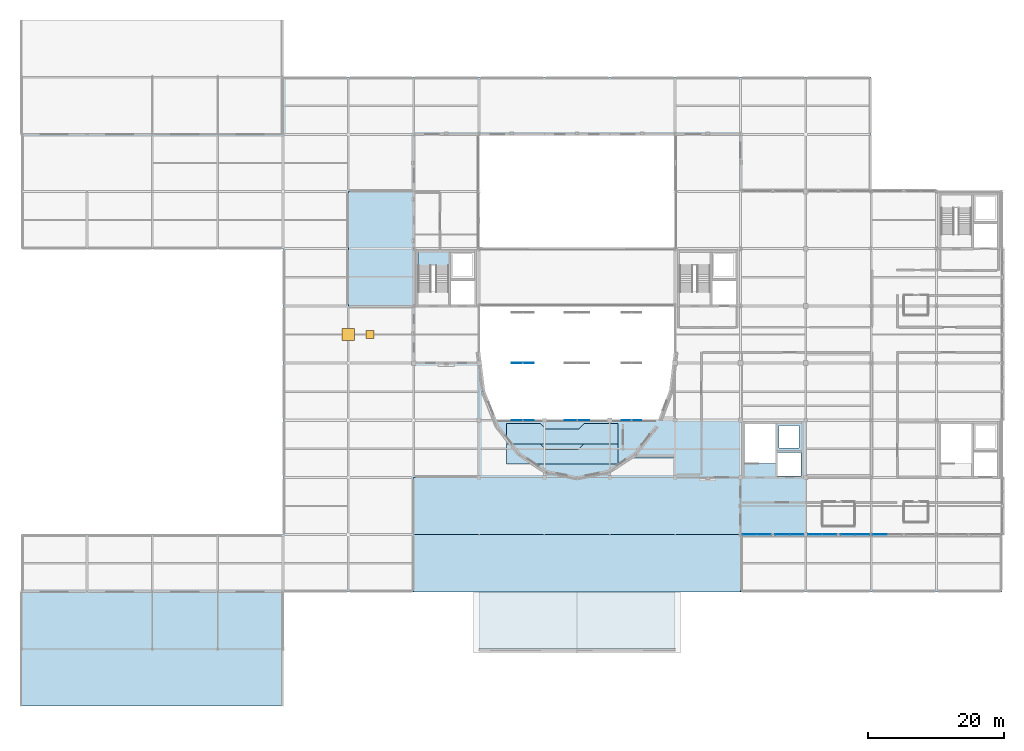
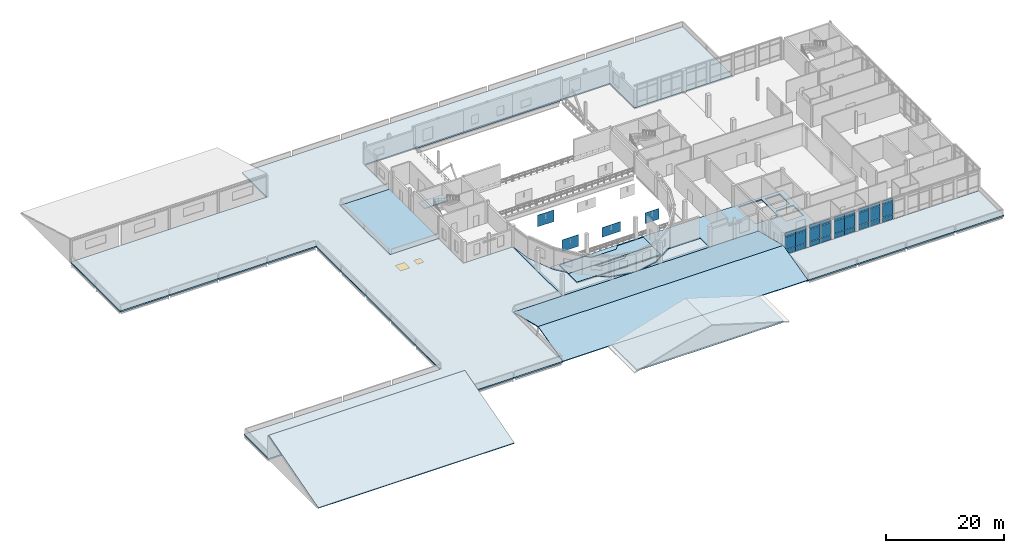
# One storey, part 31 of 52: 31 plates, 13 slabs, 1 door, 1 window, 2 openings, 6 elements without a shape of their own.
"""IFC4 building model written with IfcOpenShell, lengths in metres."""

import ifcopenshell
import ifcopenshell.guid

model = None  # the IFC model being written
_history = None  # IfcOwnerHistory: only IFC2X3 demands one
_inside = {}  # id of a spatial element -> (the spatial element, [elements in it])
_under = {}  # id of a project, library or spatial element -> (it, [spatial elements below it])
_declared = {}  # id of a project -> (the project, [libraries it declares])
_typed = {}  # id of a type object -> (the type object, [elements of that type])
_made_of = {}  # id of a material, layer set ... -> (it, [elements and type objects made of it])


def new_model(schema):
    """Start an empty IFC model of exactly this schema.

    Asked for "IFC4X3", IfcOpenShell would pick the latest addendum, in which some entities
    have other attributes; the version numbers below select the first issue.
    IFC2X3 requires an IfcOwnerHistory on every rooted entity: one is made here for all.
    """
    global model, _history
    if schema == "IFC4X3":
        model = ifcopenshell.file(schema_version=(4, 3, 0, 0))
    else:
        model = ifcopenshell.file(schema=schema)
    _inside.clear()
    _under.clear()
    _declared.clear()
    _typed.clear()
    _made_of.clear()
    _history = None
    if model.schema == "IFC2X3":
        org = make("IfcOrganization", Name="unknown")
        user = make(
            "IfcPersonAndOrganization",
            ThePerson=make("IfcPerson", FamilyName="unknown"),
            TheOrganization=org,
        )
        app = make(
            "IfcApplication",
            ApplicationDeveloper=org,
            Version="unknown",
            ApplicationFullName="unknown",
            ApplicationIdentifier="unknown",
        )
        _history = make(
            "IfcOwnerHistory",
            OwningUser=user,
            OwningApplication=app,
            ChangeAction="ADDED",
            CreationDate=0,
        )
    return model


def make(cls, **values):
    """One entity of the class cls with the attributes given. An attribute that is None is left unset."""
    return model.create_entity(
        cls, **{name: value for name, value in values.items() if value is not None}
    )


def rooted(cls, **values):
    """An entity with a GlobalId (a new one), such as an element, a storey or a relation."""
    return make(cls, GlobalId=ifcopenshell.guid.new(), OwnerHistory=_history, **values)


def si_unit(unit_type, name, prefix=None):
    """IfcSIUnit, for example si_unit("LENGTHUNIT", "METRE", prefix="MILLI")."""
    return make("IfcSIUnit", UnitType=unit_type, Prefix=prefix, Name=name)


def assignment(units):
    """IfcUnitAssignment: the units of a project."""
    return None if units is None else make("IfcUnitAssignment", Units=units)


def point(xyz):
    """IfcCartesianPoint."""
    return None if xyz is None else make("IfcCartesianPoint", Coordinates=xyz)


def direction(xyz):
    """IfcDirection."""
    return None if xyz is None else make("IfcDirection", DirectionRatios=xyz)


def frame(location, z_axis=None, x_axis=None):
    """IfcAxis2Placement3D, a coordinate frame: its origin and axes. An axis left out is left unset."""
    return make(
        "IfcAxis2Placement3D",
        Location=point(location),
        Axis=direction(z_axis),
        RefDirection=direction(x_axis),
    )


def frame_2d(location, x_axis=None):
    """IfcAxis2Placement2D, a coordinate frame in the plane: its origin and x axis."""
    return make(
        "IfcAxis2Placement2D", Location=point(location), RefDirection=direction(x_axis)
    )


def origin():
    """The frame at (0, 0, 0) with its axes left unset."""
    return frame((0.0, 0.0, 0.0))


def origin_2d():
    """The frame at (0, 0) in the plane with its x axis left unset."""
    return frame_2d((0.0, 0.0))


def place(relative_to, where):
    """IfcLocalPlacement: puts the frame where relative to a parent placement (None: the world)."""
    return make(
        "IfcLocalPlacement", PlacementRelTo=relative_to, RelativePlacement=where
    )


def context(
    kind, dimensions, precision=None, world=None, true_north=None, identifier=None
):
    """IfcGeometricRepresentationContext, for example the 3D "Model" context."""
    return make(
        "IfcGeometricRepresentationContext",
        ContextIdentifier=identifier,
        ContextType=kind,
        CoordinateSpaceDimension=dimensions,
        Precision=precision,
        WorldCoordinateSystem=world,
        TrueNorth=true_north,
    )


def subcontext(parent, identifier, kind, view, scale=None):
    """IfcGeometricRepresentationSubContext, for example "Body" below "Model"."""
    return make(
        "IfcGeometricRepresentationSubContext",
        ContextIdentifier=identifier,
        ContextType=kind,
        ParentContext=parent,
        TargetScale=scale,
        TargetView=view,
    )


def project(units=None, contexts=None):
    """IfcProject with its units and contexts."""
    return rooted(
        "IfcProject",
        Name="project",
        RepresentationContexts=contexts,
        UnitsInContext=assignment(units),
    )


def spatial(cls, under=None, at=None, **own):
    """A site, building, storey or space (cls), placed at a placement, below another one or the project."""
    s = rooted(cls, ObjectPlacement=at, **own)
    if under is not None:
        _under.setdefault(under.id(), (under, []))[1].append(s)
    return s


def polyline(points):
    """IfcPolyline through the points."""
    return make("IfcPolyline", Points=[point(p) for p in points])


def profile(cls, at=None, kind="AREA", **sizes):
    """A parametric profile (cls). Its sizes go by their IFC names, for example OverallWidth=200.0."""
    return make(cls, ProfileType=kind, Position=at, **sizes)


def rectangle(**sizes):
    """IfcRectangleProfileDef."""
    return profile("IfcRectangleProfileDef", **sizes)


def outline(outer, holes=None, kind="AREA"):
    """IfcArbitraryClosedProfileDef: a profile drawn as a closed curve; with holes, ...WithVoids."""
    if holes is None:
        return make("IfcArbitraryClosedProfileDef", ProfileType=kind, OuterCurve=outer)
    return make(
        "IfcArbitraryProfileDefWithVoids",
        ProfileType=kind,
        OuterCurve=outer,
        InnerCurves=holes,
    )


def extrude(swept, where, along, depth):
    """IfcExtrudedAreaSolid: the profile swept, set in the frame where, extruded along a direction by depth."""
    return make(
        "IfcExtrudedAreaSolid",
        SweptArea=swept,
        Position=where,
        ExtrudedDirection=direction(along),
        Depth=depth,
    )


def shape(context_of_items, identifier, shape_type, items):
    """IfcShapeRepresentation: the items that make up one representation, for example the "Body"."""
    return make(
        "IfcShapeRepresentation",
        ContextOfItems=context_of_items,
        RepresentationIdentifier=identifier,
        RepresentationType=shape_type,
        Items=items,
    )


def material(Name=None, Category=None):
    """IfcMaterial."""
    return make("IfcMaterial", Name=Name, Category=Category)


def layer(
    of_material, thickness, ventilated=None, Name=None, Category=None, Priority=None
):
    """IfcMaterialLayer: one layer of a wall or slab, of a material (None: an air gap)."""
    return make(
        "IfcMaterialLayer",
        Material=of_material,
        LayerThickness=thickness,
        IsVentilated=ventilated,
        Name=Name,
        Category=Category,
        Priority=Priority,
    )


def layer_set(layers, Name=None):
    """IfcMaterialLayerSet."""
    return make("IfcMaterialLayerSet", MaterialLayers=layers, LayerSetName=Name)


def made_of(thing, what):
    """Note that an element or type object is made of a material, layer set ...; save() writes the relation."""
    if what is not None:
        _made_of.setdefault(what.id(), (what, []))[1].append(thing)
    return thing


def type_object(cls, material=None, **own):
    """A type object (cls), such as IfcWallType, which elements share."""
    return made_of(rooted(cls, **own), material)


def element(
    cls,
    number,
    at=None,
    inside=None,
    cuts=None,
    type_object=None,
    material=None,
    context=None,
    identifier="Body",
    shape_type=None,
    held_by="IfcProductDefinitionShape",
    body=None,
    shapes=None,
    **own,
):
    """One element of the class cls, such as IfcWall. Its Tag is "e" and its number.

    at: its placement. inside: the storey or other place that contains it. cuts: it is an
    opening in that element (IfcRelVoidsElement). A single representation is given by context,
    identifier, shape_type and body (its items); several are given by shapes. held_by: the class
    of the entity that holds the representations. save() writes the other relations.
    """
    e = rooted(cls, Tag="e%d" % number, ObjectPlacement=at, **own)
    if body is not None:
        shapes = [shape(context, identifier, shape_type, body)]
    if shapes is not None:
        e.Representation = make(held_by, Representations=shapes)
    if inside is not None:
        _inside.setdefault(inside.id(), (inside, []))[1].append(e)
    if cuts is not None:
        rooted(
            "IfcRelVoidsElement", RelatingBuildingElement=cuts, RelatedOpeningElement=e
        )
    if type_object is not None:
        _typed.setdefault(type_object.id(), (type_object, []))[1].append(e)
    return made_of(e, material)


def fill(opening, filler):
    """IfcRelFillsElement: the door or window that sits in an opening."""
    return rooted(
        "IfcRelFillsElement",
        RelatingOpeningElement=opening,
        RelatedBuildingElement=filler,
    )


def aggregate(whole, parts):
    """IfcRelAggregates: a whole, such as a stair, and the parts it consists of."""
    return rooted("IfcRelAggregates", RelatingObject=whole, RelatedObjects=parts)


def save(model, path):
    """Write the relations noted so far, then the file.

    IfcRelAggregates (storeys below a building ...), IfcRelContainedInSpatialStructure (elements
    in a storey), IfcRelDefinesByType, IfcRelAssociatesMaterial and IfcRelDeclares: one each for
    every whole, place, type object, material and project.
    """
    for whole, parts in _under.values():
        aggregate(whole, parts)
    for where, things in _inside.values():
        rooted(
            "IfcRelContainedInSpatialStructure",
            RelatedElements=things,
            RelatingStructure=where,
        )
    for kind, things in _typed.values():
        rooted("IfcRelDefinesByType", RelatedObjects=things, RelatingType=kind)
    for what, things in _made_of.values():
        rooted("IfcRelAssociatesMaterial", RelatedObjects=things, RelatingMaterial=what)
    for by, libraries in _declared.values():
        rooted("IfcRelDeclares", RelatingContext=by, RelatedDefinitions=libraries)
    model.write(path)


model = new_model("IFC4")

# Units and contexts
model_context = context("Model", 3, precision=1e-05, world=origin(), true_north=direction((0.0, 1.0)))
body_context = subcontext(model_context, "Body", "Model", "MODEL_VIEW")
ifc_project = project(units=[si_unit("LENGTHUNIT", "METRE"), si_unit("AREAUNIT", "SQUARE_METRE"), si_unit("VOLUMEUNIT", "CUBIC_METRE"), si_unit("PLANEANGLEUNIT", "RADIAN"), si_unit("MASSUNIT", "GRAM", prefix="KILO")], contexts=[model_context])

# Site, building, storey
site_placement = place(None, origin())
site = spatial("IfcSite", under=ifc_project, at=site_placement, CompositionType="ELEMENT")
building_placement = place(site_placement, origin())
building = spatial("IfcBuilding", under=site, at=building_placement, Name="Lornevale Opera House", CompositionType="ELEMENT")
storey_placement = place(building_placement, frame((0.0, 0.0, 15.0)))
storey = spatial("IfcBuildingStorey", under=building, at=storey_placement, Name="L04", CompositionType="ELEMENT", Elevation=15.0)

# Slab
ifc_material_1 = material(Name="Concrete 40 MPa (CSA A23.1 C-1)", Category="concrete")
ifc_layer_1 = layer(ifc_material_1, 0.25)
ifc_layer_set_1 = layer_set([ifc_layer_1], Name="Concrete 40 MPa (CSA A23.1 C-1)")
slab_type_1 = type_object("IfcSlabType", Name="Escarpment Terrace Deck Slab 250", PredefinedType="USERDEFINED", material=ifc_layer_set_1)
slab_1_placement = place(storey_placement, frame((0.0, 0.0, -0.25)))
element("IfcSlab", 1, at=slab_1_placement, inside=storey, type_object=slab_type_1, Name="Escarpment Terrace Deck Slab 250 SL-057", ObjectType="TERRACE", PredefinedType="USERDEFINED", context=body_context, shape_type="SweptSolid", body=[
    extrude(outline(polyline([(57.60009765625, 58.800048828125), (48.0, 58.800048828125), (48.0, 67.199951171875), (48.0, 75.60009765625), (57.60009765625, 75.60009765625), (57.60009765625, 67.199951171875), (57.60009765625, 58.800048828125)])), origin(), (0.0, 0.0, 1.0), 0.25),
])

# Curtain wall, plates
ifc_material_2 = material(Name="Anodized Oxide-Green Aluminium Framing", Category="aluminium")
ifc_layer_2 = layer(ifc_material_2, 0.18505859375)
ifc_layer_set_2 = layer_set([ifc_layer_2], Name="Anodized Oxide-Green Aluminium Framing")
curtain_wall_type = type_object("IfcCurtainWallType", Name="Conservatory Curtain Wall M2100", PredefinedType="NOTDEFINED", material=ifc_layer_set_2)
curtain_wall_1_placement = place(storey_placement, origin())
curtain_wall_1 = element("IfcCurtainWall", 2, at=curtain_wall_1_placement, inside=storey, type_object=curtain_wall_type, Name="Conservatory Curtain Wall M2100 CW-149", PredefinedType="NOTDEFINED")
ifc_layer_3 = layer(ifc_material_2, 0.06494140625)
ifc_layer_set_3 = layer_set([ifc_layer_3], Name="Anodized Oxide-Green Aluminium Framing")
plate_type_1 = type_object("IfcPlateType", Name="Insulated Shadow-Box Spandrel 65", PredefinedType="CURTAIN_PANEL", material=ifc_layer_set_3)
plate_1_placement = place(storey_placement, frame((113.8505859375, 25.199951171875, 0.074951171875), z_axis=(0.0, 0.0, 1.0), x_axis=(-1.0, 0.0, 0.0)))
plate_1 = element("IfcPlate", 3, at=plate_1_placement, type_object=plate_type_1, Name="Insulated Shadow-Box Spandrel 65 CW3092", PredefinedType="CURTAIN_PANEL", context=body_context, shape_type="SweptSolid", body=[
    extrude(rectangle(XDim=2.027099609375, YDim=0.06494140625, at=origin_2d()), origin(), (0.0, 0.0, 1.0), 0.9375),
])
plate_2_placement = place(storey_placement, frame((113.8505859375, 25.199951171875, 1.08740234375), z_axis=(0.0, 0.0, 1.0), x_axis=(-1.0, 0.0, 0.0)))
plate_2 = element("IfcPlate", 4, at=plate_2_placement, type_object=plate_type_1, Name="Insulated Shadow-Box Spandrel 65 CW3093", PredefinedType="CURTAIN_PANEL", context=body_context, shape_type="SweptSolid", body=[
    extrude(rectangle(XDim=2.027099609375, YDim=0.06494140625, at=origin_2d()), origin(), (0.0, 0.0, 1.0), 2.485107421875),
])
plate_3_placement = place(storey_placement, frame((113.8505859375, 25.199951171875, 3.647705078125), z_axis=(0.0, 0.0, 1.0), x_axis=(-1.0, 0.0, 0.0)))
plate_3 = element("IfcPlate", 5, at=plate_3_placement, type_object=plate_type_1, Name="Insulated Shadow-Box Spandrel 65 CW3094", PredefinedType="CURTAIN_PANEL", context=body_context, shape_type="SweptSolid", body=[
    extrude(rectangle(XDim=2.027099609375, YDim=0.06494140625, at=origin_2d()), origin(), (0.0, 0.0, 1.0), 0.83740234375),
])
plate_4_placement = place(storey_placement, frame((111.758544921875, 25.199951171875, 0.074951171875), z_axis=(0.0, 0.0, 1.0), x_axis=(-1.0, 0.0, 0.0)))
plate_4 = element("IfcPlate", 6, at=plate_4_placement, type_object=plate_type_1, Name="Insulated Shadow-Box Spandrel 65 CW3099", PredefinedType="CURTAIN_PANEL", context=body_context, shape_type="SweptSolid", body=[
    extrude(rectangle(XDim=2.027099609375, YDim=0.06494140625, at=origin_2d()), origin(), (0.0, 0.0, 1.0), 0.9375),
])
plate_5_placement = place(storey_placement, frame((111.758544921875, 25.199951171875, 1.08740234375), z_axis=(0.0, 0.0, 1.0), x_axis=(-1.0, 0.0, 0.0)))
plate_5 = element("IfcPlate", 7, at=plate_5_placement, type_object=plate_type_1, Name="Insulated Shadow-Box Spandrel 65 CW3100", PredefinedType="CURTAIN_PANEL", context=body_context, shape_type="SweptSolid", body=[
    extrude(rectangle(XDim=2.027099609375, YDim=0.06494140625, at=origin_2d()), origin(), (0.0, 0.0, 1.0), 2.485107421875),
])
plate_6_placement = place(storey_placement, frame((111.758544921875, 25.199951171875, 3.647705078125), z_axis=(0.0, 0.0, 1.0), x_axis=(-1.0, 0.0, 0.0)))
plate_6 = element("IfcPlate", 8, at=plate_6_placement, type_object=plate_type_1, Name="Insulated Shadow-Box Spandrel 65 CW3101", PredefinedType="CURTAIN_PANEL", context=body_context, shape_type="SweptSolid", body=[
    extrude(rectangle(XDim=2.027099609375, YDim=0.06494140625, at=origin_2d()), origin(), (0.0, 0.0, 1.0), 0.83740234375),
])
aggregate(curtain_wall_1, [plate_1, plate_2, plate_3, plate_4, plate_5, plate_6])

curtain_wall_2_placement = place(storey_placement, origin())
curtain_wall_2 = element("IfcCurtainWall", 9, at=curtain_wall_2_placement, inside=storey, type_object=curtain_wall_type, Name="Conservatory Curtain Wall M2100 CW-150", PredefinedType="NOTDEFINED")
plate_7_placement = place(storey_placement, frame((109.0478515625, 25.199951171875, 0.074951171875), z_axis=(0.0, 0.0, 1.0), x_axis=(-1.0, 0.0, 0.0)))
plate_7 = element("IfcPlate", 10, at=plate_7_placement, type_object=plate_type_1, Name="Insulated Shadow-Box Spandrel 65 CW3109", PredefinedType="CURTAIN_PANEL", context=body_context, shape_type="SweptSolid", body=[
    extrude(rectangle(XDim=2.014404296875, YDim=0.06494140625, at=origin_2d()), origin(), (0.0, 0.0, 1.0), 0.9375),
])
plate_8_placement = place(storey_placement, frame((109.0478515625, 25.199951171875, 1.08740234375), z_axis=(0.0, 0.0, 1.0), x_axis=(-1.0, 0.0, 0.0)))
plate_8 = element("IfcPlate", 11, at=plate_8_placement, type_object=plate_type_1, Name="Insulated Shadow-Box Spandrel 65 CW3110", PredefinedType="CURTAIN_PANEL", context=body_context, shape_type="SweptSolid", body=[
    extrude(rectangle(XDim=2.014404296875, YDim=0.06494140625, at=origin_2d()), origin(), (0.0, 0.0, 1.0), 2.485107421875),
])
plate_9_placement = place(storey_placement, frame((109.0478515625, 25.199951171875, 3.647705078125), z_axis=(0.0, 0.0, 1.0), x_axis=(-1.0, 0.0, 0.0)))
plate_9 = element("IfcPlate", 12, at=plate_9_placement, type_object=plate_type_1, Name="Insulated Shadow-Box Spandrel 65 CW3111", PredefinedType="CURTAIN_PANEL", context=body_context, shape_type="SweptSolid", body=[
    extrude(rectangle(XDim=2.014404296875, YDim=0.06494140625, at=origin_2d()), origin(), (0.0, 0.0, 1.0), 0.83740234375),
])
plate_10_placement = place(storey_placement, frame((106.96826171875, 25.199951171875, 0.074951171875), z_axis=(0.0, 0.0, 1.0), x_axis=(-1.0, 0.0, 0.0)))
plate_10 = element("IfcPlate", 13, at=plate_10_placement, type_object=plate_type_1, Name="Insulated Shadow-Box Spandrel 65 CW3116", PredefinedType="CURTAIN_PANEL", context=body_context, shape_type="SweptSolid", body=[
    extrude(rectangle(XDim=2.014404296875, YDim=0.06494140625, at=origin_2d()), origin(), (0.0, 0.0, 1.0), 0.9375),
])
plate_11_placement = place(storey_placement, frame((106.96826171875, 25.199951171875, 1.08740234375), z_axis=(0.0, 0.0, 1.0), x_axis=(-1.0, 0.0, 0.0)))
plate_11 = element("IfcPlate", 14, at=plate_11_placement, type_object=plate_type_1, Name="Insulated Shadow-Box Spandrel 65 CW3117", PredefinedType="CURTAIN_PANEL", context=body_context, shape_type="SweptSolid", body=[
    extrude(rectangle(XDim=2.014404296875, YDim=0.06494140625, at=origin_2d()), origin(), (0.0, 0.0, 1.0), 2.485107421875),
])
plate_12_placement = place(storey_placement, frame((106.96826171875, 25.199951171875, 3.647705078125), z_axis=(0.0, 0.0, 1.0), x_axis=(-1.0, 0.0, 0.0)))
plate_12 = element("IfcPlate", 15, at=plate_12_placement, type_object=plate_type_1, Name="Insulated Shadow-Box Spandrel 65 CW3118", PredefinedType="CURTAIN_PANEL", context=body_context, shape_type="SweptSolid", body=[
    extrude(rectangle(XDim=2.014404296875, YDim=0.06494140625, at=origin_2d()), origin(), (0.0, 0.0, 1.0), 0.83740234375),
])
aggregate(curtain_wall_2, [plate_7, plate_8, plate_9, plate_10, plate_11, plate_12])

curtain_wall_3_placement = place(storey_placement, origin())
curtain_wall_3 = element("IfcCurtainWall", 16, at=curtain_wall_3_placement, inside=storey, type_object=curtain_wall_type, Name="Conservatory Curtain Wall M2100 CW-153", PredefinedType="NOTDEFINED")
plate_13_placement = place(storey_placement, frame((123.516845703125, 25.199951171875, 0.074951171875), z_axis=(0.0, 0.0, 1.0), x_axis=(-1.0, 0.0, 0.0)))
plate_13 = element("IfcPlate", 17, at=plate_13_placement, type_object=plate_type_1, Name="Insulated Shadow-Box Spandrel 65 CW3160", PredefinedType="CURTAIN_PANEL", context=body_context, shape_type="SweptSolid", body=[
    extrude(rectangle(XDim=2.0712890625, YDim=0.06494140625, at=origin_2d()), origin(), (0.0, 0.0, 1.0), 0.9375),
])
plate_14_placement = place(storey_placement, frame((123.516845703125, 25.199951171875, 1.08740234375), z_axis=(0.0, 0.0, 1.0), x_axis=(-1.0, 0.0, 0.0)))
plate_14 = element("IfcPlate", 18, at=plate_14_placement, type_object=plate_type_1, Name="Insulated Shadow-Box Spandrel 65 CW3161", PredefinedType="CURTAIN_PANEL", context=body_context, shape_type="SweptSolid", body=[
    extrude(rectangle(XDim=2.0712890625, YDim=0.06494140625, at=origin_2d()), origin(), (0.0, 0.0, 1.0), 2.485107421875),
])
plate_15_placement = place(storey_placement, frame((123.516845703125, 25.199951171875, 3.647705078125), z_axis=(0.0, 0.0, 1.0), x_axis=(-1.0, 0.0, 0.0)))
plate_15 = element("IfcPlate", 19, at=plate_15_placement, type_object=plate_type_1, Name="Insulated Shadow-Box Spandrel 65 CW3162", PredefinedType="CURTAIN_PANEL", context=body_context, shape_type="SweptSolid", body=[
    extrude(rectangle(XDim=2.0712890625, YDim=0.06494140625, at=origin_2d()), origin(), (0.0, 0.0, 1.0), 0.83740234375),
])
plate_16_placement = place(storey_placement, frame((121.380615234375, 25.199951171875, 0.074951171875), z_axis=(0.0, 0.0, 1.0), x_axis=(-1.0, 0.0, 0.0)))
plate_16 = element("IfcPlate", 20, at=plate_16_placement, type_object=plate_type_1, Name="Insulated Shadow-Box Spandrel 65 CW3167", PredefinedType="CURTAIN_PANEL", context=body_context, shape_type="SweptSolid", body=[
    extrude(rectangle(XDim=2.0712890625, YDim=0.06494140625, at=origin_2d()), origin(), (0.0, 0.0, 1.0), 0.9375),
])
plate_17_placement = place(storey_placement, frame((121.380615234375, 25.199951171875, 1.08740234375), z_axis=(0.0, 0.0, 1.0), x_axis=(-1.0, 0.0, 0.0)))
plate_17 = element("IfcPlate", 21, at=plate_17_placement, type_object=plate_type_1, Name="Insulated Shadow-Box Spandrel 65 CW3168", PredefinedType="CURTAIN_PANEL", context=body_context, shape_type="SweptSolid", body=[
    extrude(rectangle(XDim=2.0712890625, YDim=0.06494140625, at=origin_2d()), origin(), (0.0, 0.0, 1.0), 2.485107421875),
])
plate_18_placement = place(storey_placement, frame((121.380615234375, 25.199951171875, 3.647705078125), z_axis=(0.0, 0.0, 1.0), x_axis=(-1.0, 0.0, 0.0)))
plate_18 = element("IfcPlate", 22, at=plate_18_placement, type_object=plate_type_1, Name="Insulated Shadow-Box Spandrel 65 CW3169", PredefinedType="CURTAIN_PANEL", context=body_context, shape_type="SweptSolid", body=[
    extrude(rectangle(XDim=2.0712890625, YDim=0.06494140625, at=origin_2d()), origin(), (0.0, 0.0, 1.0), 0.83740234375),
])
aggregate(curtain_wall_3, [plate_13, plate_14, plate_15, plate_16, plate_17, plate_18])

curtain_wall_4_placement = place(storey_placement, origin())
curtain_wall_4 = element("IfcCurtainWall", 23, at=curtain_wall_4_placement, inside=storey, type_object=curtain_wall_type, Name="Conservatory Curtain Wall M2100 CW-154", PredefinedType="NOTDEFINED")
plate_19_placement = place(storey_placement, frame((118.6416015625, 25.199951171875, 0.074951171875), z_axis=(0.0, 0.0, 1.0), x_axis=(-1.0, 0.0, 0.0)))
plate_19 = element("IfcPlate", 24, at=plate_19_placement, type_object=plate_type_1, Name="Insulated Shadow-Box Spandrel 65 CW3177", PredefinedType="CURTAIN_PANEL", context=body_context, shape_type="SweptSolid", body=[
    extrude(rectangle(XDim=2.027099609375, YDim=0.06494140625, at=origin_2d()), origin(), (0.0, 0.0, 1.0), 0.9375),
])
plate_20_placement = place(storey_placement, frame((118.6416015625, 25.199951171875, 1.08740234375), z_axis=(0.0, 0.0, 1.0), x_axis=(-1.0, 0.0, 0.0)))
plate_20 = element("IfcPlate", 25, at=plate_20_placement, type_object=plate_type_1, Name="Insulated Shadow-Box Spandrel 65 CW3178", PredefinedType="CURTAIN_PANEL", context=body_context, shape_type="SweptSolid", body=[
    extrude(rectangle(XDim=2.027099609375, YDim=0.06494140625, at=origin_2d()), origin(), (0.0, 0.0, 1.0), 2.485107421875),
])
plate_21_placement = place(storey_placement, frame((118.6416015625, 25.199951171875, 3.647705078125), z_axis=(0.0, 0.0, 1.0), x_axis=(-1.0, 0.0, 0.0)))
plate_21 = element("IfcPlate", 26, at=plate_21_placement, type_object=plate_type_1, Name="Insulated Shadow-Box Spandrel 65 CW3179", PredefinedType="CURTAIN_PANEL", context=body_context, shape_type="SweptSolid", body=[
    extrude(rectangle(XDim=2.027099609375, YDim=0.06494140625, at=origin_2d()), origin(), (0.0, 0.0, 1.0), 0.83740234375),
])
plate_22_placement = place(storey_placement, frame((116.549560546875, 25.199951171875, 0.074951171875), z_axis=(0.0, 0.0, 1.0), x_axis=(-1.0, 0.0, 0.0)))
plate_22 = element("IfcPlate", 27, at=plate_22_placement, type_object=plate_type_1, Name="Insulated Shadow-Box Spandrel 65 CW3184", PredefinedType="CURTAIN_PANEL", context=body_context, shape_type="SweptSolid", body=[
    extrude(rectangle(XDim=2.027099609375, YDim=0.06494140625, at=origin_2d()), origin(), (0.0, 0.0, 1.0), 0.9375),
])
plate_23_placement = place(storey_placement, frame((116.549560546875, 25.199951171875, 1.08740234375), z_axis=(0.0, 0.0, 1.0), x_axis=(-1.0, 0.0, 0.0)))
plate_23 = element("IfcPlate", 28, at=plate_23_placement, type_object=plate_type_1, Name="Insulated Shadow-Box Spandrel 65 CW3185", PredefinedType="CURTAIN_PANEL", context=body_context, shape_type="SweptSolid", body=[
    extrude(rectangle(XDim=2.027099609375, YDim=0.06494140625, at=origin_2d()), origin(), (0.0, 0.0, 1.0), 2.485107421875),
])
plate_24_placement = place(storey_placement, frame((116.549560546875, 25.199951171875, 3.647705078125), z_axis=(0.0, 0.0, 1.0), x_axis=(-1.0, 0.0, 0.0)))
plate_24 = element("IfcPlate", 29, at=plate_24_placement, type_object=plate_type_1, Name="Insulated Shadow-Box Spandrel 65 CW3186", PredefinedType="CURTAIN_PANEL", context=body_context, shape_type="SweptSolid", body=[
    extrude(rectangle(XDim=2.027099609375, YDim=0.06494140625, at=origin_2d()), origin(), (0.0, 0.0, 1.0), 0.83740234375),
])
aggregate(curtain_wall_4, [plate_19, plate_20, plate_21, plate_22, plate_23, plate_24])

curtain_wall_5_placement = place(storey_placement, origin())
curtain_wall_5 = element("IfcCurtainWall", 30, at=curtain_wall_5_placement, inside=storey, type_object=curtain_wall_type, Name="Conservatory Curtain Wall M2100 CW-158", PredefinedType="NOTDEFINED")
plate_25_placement = place(storey_placement, frame((126.0830078125, 25.199951171875, 0.074951171875), z_axis=(0.0, 0.0, 1.0), x_axis=(-1.0, 0.0, 0.0)))
plate_25 = element("IfcPlate", 31, at=plate_25_placement, type_object=plate_type_1, Name="Insulated Shadow-Box Spandrel 65 CW3252", PredefinedType="CURTAIN_PANEL", context=body_context, shape_type="SweptSolid", body=[
    extrude(rectangle(XDim=2.0712890625, YDim=0.06494140625, at=origin_2d()), origin(), (0.0, 0.0, 1.0), 0.9375),
])
plate_26_placement = place(storey_placement, frame((126.0830078125, 25.199951171875, 1.08740234375), z_axis=(0.0, 0.0, 1.0), x_axis=(-1.0, 0.0, 0.0)))
plate_26 = element("IfcPlate", 32, at=plate_26_placement, type_object=plate_type_1, Name="Insulated Shadow-Box Spandrel 65 CW3253", PredefinedType="CURTAIN_PANEL", context=body_context, shape_type="SweptSolid", body=[
    extrude(rectangle(XDim=2.0712890625, YDim=0.06494140625, at=origin_2d()), origin(), (0.0, 0.0, 1.0), 2.485107421875),
])
plate_27_placement = place(storey_placement, frame((126.0830078125, 25.199951171875, 3.647705078125), z_axis=(0.0, 0.0, 1.0), x_axis=(-1.0, 0.0, 0.0)))
plate_27 = element("IfcPlate", 33, at=plate_27_placement, type_object=plate_type_1, Name="Insulated Shadow-Box Spandrel 65 CW3254", PredefinedType="CURTAIN_PANEL", context=body_context, shape_type="SweptSolid", body=[
    extrude(rectangle(XDim=2.0712890625, YDim=0.06494140625, at=origin_2d()), origin(), (0.0, 0.0, 1.0), 0.83740234375),
])
aggregate(curtain_wall_5, [plate_25, plate_26, plate_27])

# Slab
ifc_material_3 = material(Name="Concrete 35 MPa (CSA A23.1 N)", Category="concrete")
ifc_layer_4 = layer(ifc_material_3, 0.199951171875)
ifc_layer_set_4 = layer_set([ifc_layer_4], Name="Concrete 35 MPa (CSA A23.1 N)")
slab_type_2 = type_object("IfcSlabType", Name="Monopitch Studio Roof Slab 200", PredefinedType="ROOF", material=ifc_layer_set_4)
slab_2_placement = place(storey_placement, frame((0.0, 0.0, 0.0), z_axis=(0.0, -0.275639805337, 0.961260993546), x_axis=(1.0, 0.0, 0.0)))
element("IfcSlab", 34, at=slab_2_placement, inside=storey, type_object=slab_type_2, Name="Monopitch Studio Roof Slab 200 SL-065", PredefinedType="ROOF", context=body_context, shape_type="SweptSolid", body=[
    extrude(outline(polyline([(0.0, 0.0), (38.39990234375, 0.0), (38.39990234375, 17.477094088822508), (0.0, 17.477094088822508), (0.0, 0.0)])), origin(), (0.0, 0.0, -1.0), 0.199951171875),
])

# Plates
ifc_material_4 = material(Name="White Oak Acoustic Panelling", Category="wood")
ifc_layer_5 = layer(ifc_material_4, 2.199951171875)
ifc_layer_set_5 = layer_set([ifc_layer_5], Name="White Oak Acoustic Panelling")
plate_type_2 = type_object("IfcPlateType", Name="Oak Acoustic Reflector Panel 2800x2200", PredefinedType="SHEET", material=ifc_layer_set_5)
plate_28_placement = place(storey_placement, frame((89.60009765625, 42.0, 2.5), z_axis=(0.0, 0.0, 1.0), x_axis=(1.0, 0.0, 0.0)))
element("IfcPlate", 35, at=plate_28_placement, inside=storey, type_object=plate_type_2, Name="Oak Acoustic Reflector Panel 2800x2200 PT-0017", PredefinedType="SHEET", context=body_context, shape_type="SweptSolid", body=[
    extrude(rectangle(XDim=2.800048828125, YDim=0.06005859375, at=origin_2d()), origin(), (0.0, 0.0, 1.0), 2.199951171875),
])
ifc_layer_6 = layer(ifc_material_4, 2.39990234375)
ifc_layer_set_6 = layer_set([ifc_layer_6], Name="White Oak Acoustic Panelling")
plate_type_3 = type_object("IfcPlateType", Name="Oak Acoustic Reflector Panel 3200x2400", PredefinedType="SHEET", material=ifc_layer_set_6)
for number, where, z_axis, x_axis, name in (
    (36, (73.60009765625, 42.0, 2.400146484375), (0.0, 0.0, 1.0), (1.0, 0.0, 0.0), "Oak Acoustic Reflector Panel 3200x2400 PT-0015"),
    (37, (73.60009765625, 50.39990234375, 2.400146484375), (0.0, 0.0, 1.0), (1.0, 0.0, 0.0), "Oak Acoustic Reflector Panel 3200x2400 PT-0021"),
):
    element("IfcPlate", number, at=place(storey_placement, frame(where, z_axis=z_axis, x_axis=x_axis)), inside=storey, type_object=plate_type_3, Name=name, PredefinedType="SHEET", context=body_context, shape_type="SweptSolid", body=[
        extrude(rectangle(XDim=3.199951171875, YDim=0.06005859375, at=origin_2d()), origin(), (0.0, 0.0, 1.0), 2.39990234375),
    ])
ifc_layer_7 = layer(ifc_material_4, 2.0)
ifc_layer_set_7 = layer_set([ifc_layer_7], Name="White Oak Acoustic Panelling")
plate_type_4 = type_object("IfcPlateType", Name="Proscenium Sound Canopy Panel 3600x2000", PredefinedType="SHEET", material=ifc_layer_set_7)
plate_29_placement = place(storey_placement, frame((81.60009765625, 42.0, 2.60009765625), z_axis=(0.0, 0.0, 1.0), x_axis=(1.0, 0.0, 0.0)))
element("IfcPlate", 38, at=plate_29_placement, inside=storey, type_object=plate_type_4, Name="Proscenium Sound Canopy Panel 3600x2000 PT-0016", PredefinedType="SHEET", context=body_context, shape_type="SweptSolid", body=[
    extrude(rectangle(XDim=3.60009765625, YDim=0.06494140625, at=origin_2d()), origin(), (0.0, 0.0, 1.0), 2.0),
])

# Slabs
ifc_layer_8 = layer(ifc_material_3, 0.2099609375)
ifc_layer_set_8 = layer_set([ifc_layer_8], Name="Concrete 35 MPa (CSA A23.1 N)")
slab_type_3 = type_object("IfcSlabType", Name="Raked Seating Tier Platform 210", PredefinedType="USERDEFINED", material=ifc_layer_set_8)
slab_3_placement = place(storey_placement, frame((0.0, 0.0, -0.010009765625)))
element("IfcSlab", 39, at=slab_3_placement, inside=storey, type_object=slab_type_3, Name="Raked Seating Tier Platform 210 SL-101", ObjectType="SEATING TIER", PredefinedType="USERDEFINED", context=body_context, shape_type="SweptSolid", body=[
    extrude(outline(polyline([(71.199951171875, 35.60009765625), (87.60009765625, 35.60009765625), (87.60009765625, 38.5), (82.60009765625, 38.5), (81.800048828125, 37.699951171875), (77.0, 37.699951171875), (76.199951171875, 38.5), (71.199951171875, 38.5), (71.199951171875, 35.60009765625)])), origin(), (0.0, 0.0, 1.0), 0.219970703125),
])
slab_4_placement = place(storey_placement, frame((0.0, 0.0, -0.010009765625)))
element("IfcSlab", 40, at=slab_4_placement, inside=storey, type_object=slab_type_3, Name="Raked Seating Tier Platform 210 SL-102", ObjectType="SEATING TIER", PredefinedType="USERDEFINED", context=body_context, shape_type="SweptSolid", body=[
    extrude(outline(polyline([(71.199951171875, 38.5), (87.60009765625, 38.5), (87.60009765625, 41.5), (82.60009765625, 41.5), (81.800048828125, 40.699951171875), (77.0, 40.699951171875), (76.199951171875, 41.5), (71.199951171875, 41.5), (71.199951171875, 38.5)])), origin(), (0.0, 0.0, 1.0), 0.219970703125),
])
ifc_layer_9 = layer(ifc_material_3, 0.179931640625)
ifc_layer_set_9 = layer_set([ifc_layer_9], Name="Concrete 35 MPa (CSA A23.1 N)")
slab_type_4 = type_object("IfcSlabType", Name="Skylight Lantern Roof Slab 180", PredefinedType="ROOF", material=ifc_layer_set_9)
slab_5_placement = place(storey_placement, frame((57.60009765625, 16.800048828125, 0.0), z_axis=(0.0, -0.241938376505, 0.970291616976), x_axis=(1.0, 0.0, 0.0)))
element("IfcSlab", 41, at=slab_5_placement, inside=storey, type_object=slab_type_4, Name="Skylight Lantern Roof Slab 180 SL-067", PredefinedType="ROOF", context=body_context, shape_type="SweptSolid", body=[
    extrude(outline(polyline([(0.0, 0.0), (48.0, 0.0), (48.0, 8.657090504325348), (0.0, 8.657090504325348), (0.0, 0.0)])), origin(), (0.0, 0.0, -1.0), 0.179931640625),
])
slab_6_placement = place(storey_placement, frame((57.60009765625, 25.199951171875, 2.094482421875), z_axis=(0.0, 0.241931756419, 0.970293267644), x_axis=(1.0, 0.0, 0.0)))
element("IfcSlab", 42, at=slab_6_placement, inside=storey, type_object=slab_type_4, Name="Skylight Lantern Roof Slab 180 SL-068", PredefinedType="ROOF", context=body_context, shape_type="SweptSolid", body=[
    extrude(outline(polyline([(0.0, 0.0), (48.0, 0.0), (48.0, 8.65732739212865), (0.0, 8.65732739212865), (0.0, 0.0)])), origin(), (0.0, 0.0, -1.0), 0.179931640625),
])

# Stair, slab
ifc_layer_10 = layer(ifc_material_3, 4.800048828125)
ifc_layer_set_10 = layer_set([ifc_layer_10], Name="Concrete 35 MPa (CSA A23.1 N)")
stair_type = type_object("IfcStairType", Name="Protected Exit Stair 4800-W1840", PredefinedType="TWO_STRAIGHT_RUN_STAIR", material=ifc_layer_set_10)
stair_placement = place(storey_placement, origin())
stair = element("IfcStair", 43, at=stair_placement, inside=storey, type_object=stair_type, Name="Auditorium West Tier Core Stair ST-19 (L04-L05)", PredefinedType="TWO_STRAIGHT_RUN_STAIR")
ifc_layer_11 = layer(ifc_material_3, 0.219970703125)
ifc_layer_set_11 = layer_set([ifc_layer_11], Name="Concrete 35 MPa (CSA A23.1 N)")
slab_type_5 = type_object("IfcSlabType", Name="Stair Half-Landing Slab 220", PredefinedType="LANDING", material=ifc_layer_set_11)
slab_7_placement = place(storey_placement, frame((0.0, 0.0, 2.179931640625)))
slab_7 = element("IfcSlab", 44, at=slab_7_placement, type_object=slab_type_5, Name="ST-19 Half-Landing SL-LND-019", PredefinedType="LANDING", context=body_context, shape_type="SweptSolid", body=[
    extrude(outline(polyline([(58.199951171875, 64.760009765625), (62.800048828125, 64.760009765625), (62.800048828125, 66.780029296875), (58.199951171875, 66.780029296875), (58.199951171875, 64.760009765625)])), origin(), (0.0, 0.0, 1.0), 0.219970703125),
])
aggregate(stair, [slab_7])

# Slabs
ifc_layer_12 = layer(ifc_material_3, 0.260009765625)
ifc_layer_set_12 = layer_set([ifc_layer_12], Name="Concrete 35 MPa (CSA A23.1 N)")
slab_type_6 = type_object("IfcSlabType", Name="Upper Circle Floor Slab 260", PredefinedType="FLOOR", material=ifc_layer_set_12)
slab_8_placement = place(storey_placement, frame((0.0, 0.0, -0.260009765625)))
element("IfcSlab", 45, at=slab_8_placement, inside=storey, type_object=slab_type_6, Name="Upper Circle Floor Slab 260 SL-053", PredefinedType="FLOOR", context=body_context, shape_type="SweptSolid", body=[
    extrude(outline(polyline([(115.199951171875, 25.199951171875), (105.60009765625, 25.199951171875), (105.60009765625, 33.60009765625), (96.0, 33.60009765625), (96.0, 36.800048828125), (89.58154296875, 36.800048828125), (86.39990234375, 34.728759765625), (86.050048828125, 34.5009765625), (81.60009765625, 33.60009765625), (77.14990234375, 34.5009765625), (76.800048828125, 34.728759765625), (73.135986328125, 37.114013671875), (69.949951171875, 41.18505859375), (69.625, 42.0), (76.800048828125, 42.0), (86.39990234375, 42.0), (93.574951171875, 42.0), (96.0, 42.0), (105.60009765625, 42.0), (115.199951171875, 42.0), (115.199951171875, 33.60009765625), (115.199951171875, 25.199951171875)]), holes=[polyline([(111.06005859375, 33.780029296875), (114.52001953125, 33.780029296875), (114.52001953125, 37.239990234375), (111.06005859375, 37.239990234375), (111.06005859375, 33.780029296875)]), polyline([(106.260009765625, 35.679931640625), (110.739990234375, 35.679931640625), (110.739990234375, 41.47998046875), (106.260009765625, 41.47998046875), (106.260009765625, 35.679931640625)]), polyline([(111.300048828125, 37.89990234375), (114.199951171875, 37.89990234375), (114.199951171875, 41.239990234375), (111.300048828125, 41.239990234375), (111.300048828125, 37.89990234375)])]), origin(), (0.0, 0.0, 1.0), 0.260009765625),
])
ifc_layer_13 = layer(ifc_material_3, 0.2900390625)
ifc_layer_set_13 = layer_set([ifc_layer_13], Name="Concrete 35 MPa (CSA A23.1 N)")
slab_type_7 = type_object("IfcSlabType", Name="Vegetated Green Roof Slab 290", PredefinedType="ROOF", material=ifc_layer_set_13)
slab_9_placement = place(storey_placement, frame((0.0, 0.0, -0.2900390625)))
element("IfcSlab", 46, at=slab_9_placement, inside=storey, type_object=slab_type_7, Name="Unoccupied Maintenance Portico Entablature Green Roof Slab 064", PredefinedType="ROOF", context=body_context, shape_type="SweptSolid", body=[
    extrude(outline(polyline([(67.199951171875, 8.39990234375), (96.0, 8.39990234375), (96.0, 16.800048828125), (67.199951171875, 16.800048828125), (67.199951171875, 8.39990234375)])), origin(), (0.0, 0.0, 1.0), 0.2900390625),
])

# Slab, openings, door, window
slab_10_placement = place(storey_placement, frame((0.0, 0.0, -0.2900390625)))
slab_10 = element("IfcSlab", 47, at=slab_10_placement, inside=storey, type_object=slab_type_7, Name="Unoccupied Maintenance Vegetated Green Roof Slab SL-081", PredefinedType="ROOF", context=body_context, shape_type="SweptSolid", body=[
    extrude(outline(polyline([(28.800048828125, 25.199951171875), (38.39990234375, 25.199951171875), (38.39990234375, 33.60009765625), (38.39990234375, 42.0), (38.39990234375, 50.39990234375), (38.39990234375, 58.800048828125), (38.39990234375, 67.199951171875), (28.800048828125, 67.199951171875), (19.199951171875, 67.199951171875), (9.60009765625, 67.199951171875), (0.0, 67.199951171875), (0.0, 75.60009765625), (0.0, 84.0), (9.60009765625, 84.0), (19.199951171875, 84.0), (28.800048828125, 84.0), (38.39990234375, 84.0), (38.39990234375, 92.39990234375), (48.0, 92.39990234375), (57.60009765625, 92.39990234375), (67.199951171875, 92.39990234375), (76.800048828125, 92.39990234375), (86.39990234375, 92.39990234375), (96.0, 92.39990234375), (105.60009765625, 92.39990234375), (115.199951171875, 92.39990234375), (124.800048828125, 92.39990234375), (124.800048828125, 84.0), (124.800048828125, 75.60009765625), (115.199951171875, 75.60009765625), (105.60009765625, 75.60009765625), (105.60009765625, 84.0), (96.0, 84.0), (86.39990234375, 84.0), (76.800048828125, 84.0), (67.199951171875, 84.0), (57.60009765625, 84.0), (57.60009765625, 75.60009765625), (48.0, 75.60009765625), (48.0, 67.199951171875), (48.0, 58.800048828125), (57.60009765625, 58.800048828125), (57.60009765625, 50.39990234375), (67.199951171875, 50.39990234375), (67.199951171875, 42.0), (67.199951171875, 33.60009765625), (57.60009765625, 33.60009765625), (57.60009765625, 25.199951171875), (57.60009765625, 16.800048828125), (48.0, 16.800048828125), (38.39990234375, 16.800048828125), (28.800048828125, 16.800048828125), (19.199951171875, 16.800048828125), (9.60009765625, 16.800048828125), (0.0, 16.800048828125), (0.0, 25.199951171875), (9.60009765625, 25.199951171875), (19.199951171875, 25.199951171875), (28.800048828125, 25.199951171875)])), origin(), (0.0, 0.0, 1.0), 0.2900390625),
])
opening_1_placement = place(slab_10_placement, frame((48.0, 54.60009765625, 0.0)))
opening_1 = element("IfcOpeningElement", 48, at=opening_1_placement, cuts=slab_10, Name="Opening WN-T24", PredefinedType="OPENING", context=body_context, shape_type="SweptSolid", body=[
    extrude(rectangle(XDim=1.800048828125, YDim=1.800048828125, at=origin_2d()), origin(), (0.0, 0.0, 1.0), 0.2900390625),
])
opening_2_placement = place(slab_10_placement, frame((51.199951171875, 54.60009765625, 0.0)))
opening_2 = element("IfcOpeningElement", 49, at=opening_2_placement, cuts=slab_10, Name="Opening DR-T09", PredefinedType="OPENING", context=body_context, shape_type="SweptSolid", body=[
    extrude(rectangle(XDim=1.199951171875, YDim=1.199951171875, at=origin_2d()), origin(), (0.0, 0.0, 1.0), 0.2900390625),
])
ifc_material_5 = material(Name="Painted Hollow Metal Door Steel", Category="steel")
ifc_layer_14 = layer(ifc_material_5, 0.050048828125)
ifc_layer_set_14 = layer_set([ifc_layer_14], Name="Painted Hollow Metal Door Steel")
door_type = type_object("IfcDoorType", Name="Fly Tower Roof Access Hatch 1200x1200", OperationType="NOTDEFINED", PredefinedType="TRAPDOOR", material=ifc_layer_set_14)
door_placement = place(opening_2_placement, frame((0.0, 0.0, 0.239990234375)))
door = element("IfcDoor", 50, at=door_placement, inside=storey, type_object=door_type, Name="Workshop Roof Maintenance Hatch DR-HAT-046", OperationType="SINGLE_SWING_LEFT", OverallHeight=1.199951171875, OverallWidth=1.199951171875, PredefinedType="TRAPDOOR", context=body_context, shape_type="SweptSolid", body=[
    extrude(rectangle(XDim=1.199951171875, YDim=1.199951171875, at=origin_2d()), origin(), (0.0, 0.0, 1.0), 0.050048828125),
])
fill(opening_2, door)
ifc_material_6 = material(Name="Triple Low-E Insulated Glazing", Category="glass")
ifc_layer_15 = layer(ifc_material_6, 0.06005859375)
ifc_layer_set_15 = layer_set([ifc_layer_15], Name="Triple Low-E Insulated Glazing")
window_type = type_object("IfcWindowType", Name="Studio Daylight Skylight 1800x1800", PartitioningType="NOTDEFINED", PredefinedType="SKYLIGHT", material=ifc_layer_set_15)
window_placement = place(opening_1_placement, frame((0.0, 0.0, 0.239990234375)))
window = element("IfcWindow", 51, at=window_placement, inside=storey, type_object=window_type, Name="Studio Daylight Skylight 1800x1800 WN-0179", OverallHeight=1.800048828125, OverallWidth=1.800048828125, PartitioningType="SINGLE_PANEL", PredefinedType="SKYLIGHT", context=body_context, shape_type="SweptSolid", body=[
    extrude(rectangle(XDim=1.800048828125, YDim=1.800048828125, at=origin_2d()), origin(), (0.0, 0.0, 1.0), 0.050048828125),
])
fill(opening_1, window)

# Slabs
slab_11_placement = place(storey_placement, frame((0.0, 0.0, -0.2900390625)))
element("IfcSlab", 52, at=slab_11_placement, inside=storey, type_object=slab_type_7, Name="Unoccupied Maintenance Vegetated Green Roof Slab SL-082", PredefinedType="ROOF", context=body_context, shape_type="SweptSolid", body=[
    extrude(outline(polyline([(105.60009765625, 16.800048828125), (105.60009765625, 25.199951171875), (115.199951171875, 25.199951171875), (124.800048828125, 25.199951171875), (134.39990234375, 25.199951171875), (144.0, 25.199951171875), (144.0, 16.800048828125), (134.39990234375, 16.800048828125), (124.800048828125, 16.800048828125), (115.199951171875, 16.800048828125), (105.60009765625, 16.800048828125)])), origin(), (0.0, 0.0, 1.0), 0.2900390625),
])
slab_12_placement = place(storey_placement, frame((0.0, 0.0, -0.2900390625)))
element("IfcSlab", 53, at=slab_12_placement, inside=storey, type_object=slab_type_7, Name="Unoccupied Maintenance Drum Shoulder Green Roof Slab SL-089", PredefinedType="ROOF", context=body_context, shape_type="SweptSolid", body=[
    extrude(outline(polyline([(96.0, 33.60009765625), (82.507080078125, 33.60009765625), (86.085693359375, 34.32470703125), (86.102294921875, 34.32861328125), (86.1181640625, 34.33447265625), (86.133544921875, 34.341552734375), (86.148193359375, 34.35009765625), (89.635009765625, 36.6201171875), (96.0, 36.6201171875), (96.0, 33.60009765625)])), origin(), (0.0, 0.0, 1.0), 0.2900390625),
])
slab_13_placement = place(storey_placement, frame((0.0, 0.0, -0.2900390625)))
element("IfcSlab", 54, at=slab_13_placement, inside=storey, type_object=slab_type_7, Name="Unoccupied Maintenance Drum Shoulder Green Roof Slab SL-091", PredefinedType="ROOF", context=body_context, shape_type="SweptSolid", body=[
    extrude(outline(polyline([(67.199951171875, 33.60009765625), (67.199951171875, 50.537109375), (67.726318359375, 46.2919921875), (67.72900390625, 46.276611328125), (67.732666015625, 46.26171875), (67.73779296875, 46.247314453125), (69.78271484375, 41.118408203125), (69.789794921875, 41.102783203125), (69.79833984375, 41.087890625), (69.80810546875, 41.07421875), (72.994140625, 37.003173828125), (73.00732421875, 36.98828125), (73.021728515625, 36.974853515625), (73.037841796875, 36.963134765625), (77.0517578125, 34.35009765625), (77.06640625, 34.341552734375), (77.081787109375, 34.33447265625), (77.097900390625, 34.32861328125), (77.1142578125, 34.32470703125), (80.69287109375, 33.60009765625), (67.199951171875, 33.60009765625)])), origin(), (0.0, 0.0, 1.0), 0.2900390625),
])

save(model, "model.ifc")
